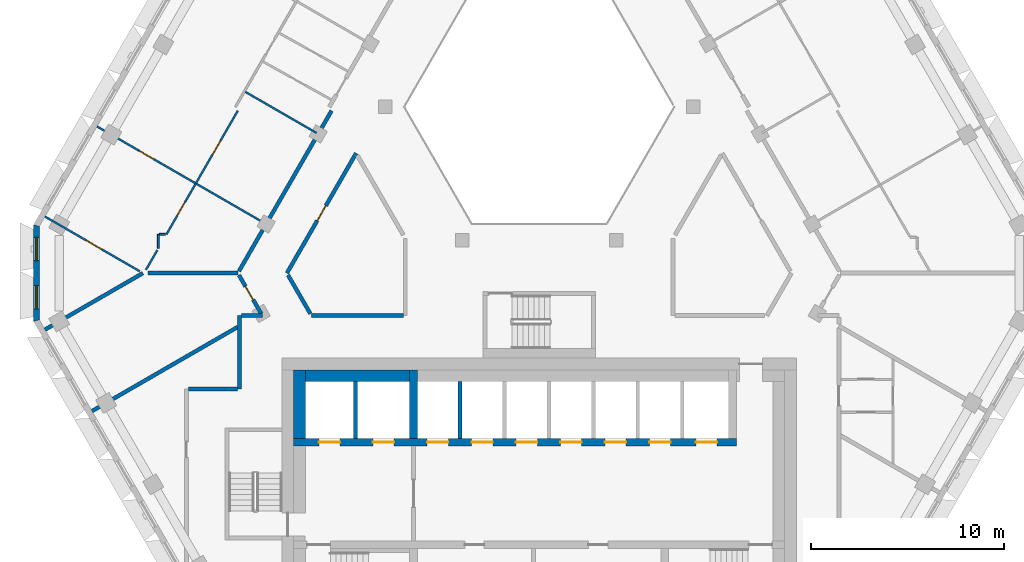
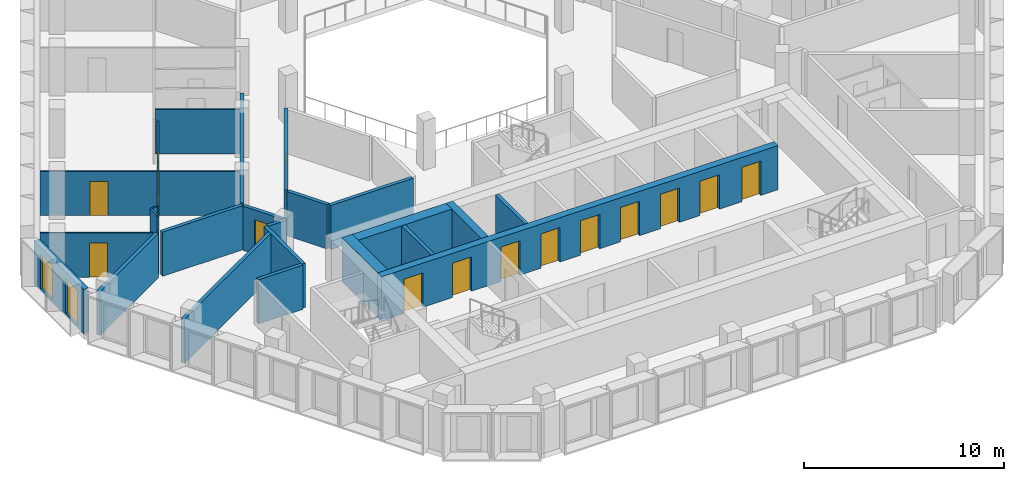
# One storey, part 4 of 17: 26 walls, 15 doors, 2 windows, 17 openings.
"""IFC4 building model written with IfcOpenShell, lengths in metres."""

from ifc_helpers import new_model, si_unit, direction, frame, frame_2d, origin, place, context, subcontext, project, spatial, polyline, rectangle, outline, extrude, material, layer, layer_set, type_object, element, fill, save


model = new_model("IFC4")

# Units and contexts
model_context = context("Model", 3, precision=1e-05, world=origin(), true_north=direction((0.0, 1.0)))
body_context = subcontext(model_context, "Body", "Model", "MODEL_VIEW")
ifc_project = project(units=[si_unit("LENGTHUNIT", "METRE"), si_unit("AREAUNIT", "SQUARE_METRE"), si_unit("VOLUMEUNIT", "CUBIC_METRE"), si_unit("PLANEANGLEUNIT", "RADIAN"), si_unit("MASSUNIT", "GRAM", prefix="KILO")], contexts=[model_context])

# Site, building, storey
site_placement = place(None, origin())
site = spatial("IfcSite", under=ifc_project, at=site_placement, CompositionType="ELEMENT")
building_placement = place(site_placement, origin())
building = spatial("IfcBuilding", under=site, at=building_placement, Name="Beryl Residences", CompositionType="ELEMENT")
storey_placement = place(building_placement, frame((0.0, 0.0, 178.199951171875)))
storey = spatial("IfcBuildingStorey", under=building, at=storey_placement, Name="L54", CompositionType="ELEMENT", Elevation=178.199951171875)

# Wall, openings, windows
ifc_material_1 = material(Name="Composite metal panel with mineral wool insulation")
ifc_layer_1 = layer(ifc_material_1, 0.300048828125)
ifc_layer_set_1 = layer_set([ifc_layer_1], Name="ES1 pale metal composite panel wall 300 mm")
wall_type_1 = type_object("IfcWallType", Name="ES1 pale metal composite panel wall 300 mm", PredefinedType="SOLIDWALL", material=ifc_layer_set_1)
wall_1_placement = place(storey_placement, frame((-26.00390625, 1.89990234375, 0.0), z_axis=(0.0, 0.0, 1.0), x_axis=(0.0, -1.0, 0.0)))
wall_1 = element("IfcWall", 1, at=wall_1_placement, inside=storey, type_object=wall_type_1, Name="ES1 external wall L54 NW-SW", PredefinedType="SOLIDWALL", context=body_context, shape_type="SweptSolid", body=[
    extrude(outline(polyline([(0.0, -0.14990234375), (5.0, -0.14990234375), (4.919677734375, 0.14990234375), (0.080322265625, 0.14990234375), (0.0, -0.14990234375)])), origin(), (0.0, 0.0, 1.0), 2.699951171875),
])
opening_1_placement = place(wall_1_placement, frame((0.64990234375, 0.0, 0.14990234375)))
opening_1 = element("IfcOpeningElement", 2, at=opening_1_placement, cuts=wall_1, Name="Opening W2", PredefinedType="OPENING", context=body_context, shape_type="SweptSolid", body=[
    extrude(rectangle(XDim=1.199951171875, YDim=2.10009765625, at=frame_2d((0.60009765625, 1.050048828125))), frame((0.0, 0.159912109375, 0.0), z_axis=(0.0, -1.0, 0.0), x_axis=(1.0, 0.0, 0.0)), (0.0, 0.0, 1.0), 0.320068359375),
])
opening_2_placement = place(wall_1_placement, frame((3.14990234375, 0.0, 0.14990234375)))
opening_2 = element("IfcOpeningElement", 3, at=opening_2_placement, cuts=wall_1, Name="Opening W2", PredefinedType="OPENING", context=body_context, shape_type="SweptSolid", body=[
    extrude(rectangle(XDim=1.199951171875, YDim=2.10009765625, at=frame_2d((0.60009765625, 1.050048828125))), frame((0.0, 0.159912109375, 0.0), z_axis=(0.0, -1.0, 0.0), x_axis=(1.0, 0.0, 0.0)), (0.0, 0.0, 1.0), 0.320068359375),
])
ifc_material_2 = material(Name="Aluminium and clear glass", Category="aluminium")
window_type = type_object("IfcWindowType", Name="W2 chamfer window 1200 x 2100 mm", PartitioningType="SINGLE_PANEL", PredefinedType="WINDOW", material=ifc_material_2)
window_1_placement = place(opening_1_placement, origin())
window_1 = element("IfcWindow", 4, at=window_1_placement, inside=storey, type_object=window_type, Name="W2 window L54 NW-SW 1", OverallHeight=2.10009765625, OverallWidth=1.199951171875, PartitioningType="SINGLE_PANEL", PredefinedType="WINDOW", context=body_context, shape_type="SweptSolid", body=[
    extrude(rectangle(XDim=1.199951171875, YDim=2.10009765625, at=frame_2d((0.60009765625, 1.050048828125))), frame((0.0, 0.030029296875, 0.0), z_axis=(0.0, -1.0, 0.0), x_axis=(1.0, 0.0, 0.0)), (0.0, 0.0, 1.0), 0.06005859375),
])
fill(opening_1, window_1)
window_2_placement = place(opening_2_placement, origin())
window_2 = element("IfcWindow", 5, at=window_2_placement, inside=storey, type_object=window_type, Name="W2 window L54 NW-SW 2", OverallHeight=2.10009765625, OverallWidth=1.199951171875, PartitioningType="SINGLE_PANEL", PredefinedType="WINDOW", context=body_context, shape_type="SweptSolid", body=[
    extrude(rectangle(XDim=1.199951171875, YDim=2.10009765625, at=frame_2d((0.60009765625, 1.050048828125))), frame((0.0, 0.030029296875, 0.0), z_axis=(0.0, -1.0, 0.0), x_axis=(1.0, 0.0, 0.0)), (0.0, 0.0, 1.0), 0.06005859375),
])
fill(opening_2, window_2)

# Wall, opening, door
ifc_material_3 = material(Name="Gypsum board partition on steel studs", Category="steel")
ifc_layer_2 = layer(ifc_material_3, 0.10009765625)
ifc_layer_set_2 = layer_set([ifc_layer_2], Name="PT1 partition 100 mm gypsum board on steel studs")
wall_type_2 = type_object("IfcWallType", Name="PT1 partition 100 mm gypsum board on steel studs", PredefinedType="PARTITIONING", material=ifc_layer_set_2)
wall_2_placement = place(storey_placement, frame((-22.8701171875, 6.987060546875, 0.0), z_axis=(0.0, 0.0, 1.0), x_axis=(0.866022959057, -0.500004234368, 0.0)))
wall_2 = element("IfcWall", 6, at=wall_2_placement, inside=storey, type_object=wall_type_2, Name="Wall PT1 L54 009", PredefinedType="PARTITIONING", context=body_context, shape_type="SweptSolid", body=[
    extrude(rectangle(XDim=10.0, YDim=0.10009765625, at=frame_2d((5.0, 0.0))), origin(), (0.0, 0.0, 1.0), 2.699951171875),
])
opening_3_placement = place(wall_2_placement, frame((2.5, 0.0, 0.0)))
opening_3 = element("IfcOpeningElement", 7, at=opening_3_placement, cuts=wall_2, Name="Opening D1412", PredefinedType="OPENING", context=body_context, shape_type="SweptSolid", body=[
    extrude(rectangle(XDim=0.89990234375, YDim=2.10009765625, at=frame_2d((0.449951171875, 1.050048828125))), frame((0.0, 0.06005859375, 0.0), z_axis=(0.0, -1.0, 0.0), x_axis=(1.0, 0.0, 0.0)), (0.0, 0.0, 1.0), 0.1201171875),
])
ifc_material_4 = material(Name="Timber door leaf", Category="wood")
door_type_1 = type_object("IfcDoorType", Name="D2 room door 900 x 2100 mm", OperationType="SINGLE_SWING_LEFT", PredefinedType="DOOR", material=ifc_material_4)
door_1_placement = place(opening_3_placement, origin())
door_1 = element("IfcDoor", 8, at=door_1_placement, inside=storey, type_object=door_type_1, Name="Door D1412 L54 001", OperationType="SINGLE_SWING_RIGHT", OverallHeight=2.10009765625, OverallWidth=0.89990234375, PredefinedType="DOOR", context=body_context, shape_type="SweptSolid", body=[
    extrude(rectangle(XDim=0.89990234375, YDim=2.10009765625, at=frame_2d((0.449951171875, 1.050048828125))), frame((0.0, 0.02490234375, 0.0), z_axis=(0.0, -1.0, 0.0), x_axis=(1.0, 0.0, 0.0)), (0.0, 0.0, 1.0), 0.050048828125),
])
fill(opening_3, door_1)

wall_3_placement = place(storey_placement, frame((-25.56201171875, 2.324951171875, 0.0), z_axis=(0.0, 0.0, 1.0), x_axis=(0.865998530728, -0.500046542611, 0.0)))
wall_3 = element("IfcWall", 9, at=wall_3_placement, inside=storey, type_object=wall_type_2, Name="Wall PT1 L54 010", PredefinedType="PARTITIONING", context=body_context, shape_type="SweptSolid", body=[
    extrude(rectangle(XDim=5.6513671875, YDim=0.10009765625, at=frame_2d((2.82568359375, 0.0))), origin(), (0.0, 0.0, 1.0), 2.699951171875),
])
opening_4_placement = place(wall_3_placement, frame((2.47607421875, 0.0, 0.0)))
opening_4 = element("IfcOpeningElement", 10, at=opening_4_placement, cuts=wall_3, Name="Opening D1415", PredefinedType="OPENING", context=body_context, shape_type="SweptSolid", body=[
    extrude(rectangle(XDim=0.89990234375, YDim=2.10009765625, at=frame_2d((0.449951171875, 1.050048828125))), frame((0.0, 0.06005859375, 0.0), z_axis=(0.0, -1.0, 0.0), x_axis=(1.0, 0.0, 0.0)), (0.0, 0.0, 1.0), 0.1201171875),
])
door_2_placement = place(opening_4_placement, origin())
door_2 = element("IfcDoor", 11, at=door_2_placement, inside=storey, type_object=door_type_1, Name="Door D1415 L54 001", OperationType="SINGLE_SWING_LEFT", OverallHeight=2.10009765625, OverallWidth=0.89990234375, PredefinedType="DOOR", context=body_context, shape_type="SweptSolid", body=[
    extrude(rectangle(XDim=0.89990234375, YDim=2.10009765625, at=frame_2d((0.449951171875, 1.050048828125))), frame((0.0, 0.02490234375, 0.0), z_axis=(0.0, -1.0, 0.0), x_axis=(1.0, 0.0, 0.0)), (0.0, 0.0, 1.0), 0.050048828125),
])
fill(opening_4, door_2)

# Walls
wall_4_placement = place(storey_placement, frame((-15.198974609375, 8.77490234375, 0.0), z_axis=(0.0, 0.0, 1.0), x_axis=(0.866043063166, -0.499969411806, 0.0)))
element("IfcWall", 12, at=wall_4_placement, inside=storey, type_object=wall_type_2, Name="Wall PT1 L54 011", PredefinedType="PARTITIONING", context=body_context, shape_type="SweptSolid", body=[
    extrude(rectangle(XDim=4.250244140625, YDim=0.10009765625, at=frame_2d((2.125, 0.0))), origin(), (0.0, 0.0, 1.0), 2.699951171875),
])
wall_5_placement = place(storey_placement, frame((-19.64990234375, 1.39990234375, 0.0), z_axis=(0.0, 0.0, 1.0), x_axis=(1.0, 0.0, 0.0)))
element("IfcWall", 13, at=wall_5_placement, inside=storey, type_object=wall_type_2, Name="Wall PT1 L54 016", PredefinedType="PARTITIONING", context=body_context, shape_type="SweptSolid", body=[
    extrude(rectangle(XDim=0.308837890625, YDim=0.10009765625, at=frame_2d((0.154296875, 0.0))), origin(), (0.0, 0.0, 1.0), 2.699951171875),
])
wall_6_placement = place(storey_placement, frame((-20.337890625, -0.427001953125, 0.0), z_axis=(0.0, 0.0, 1.0), x_axis=(0.500069990121, 0.865984991198, 0.0)))
element("IfcWall", 14, at=wall_6_placement, inside=storey, type_object=wall_type_2, Name="Wall PT1 L54 022", PredefinedType="PARTITIONING", context=body_context, shape_type="SweptSolid", body=[
    extrude(rectangle(XDim=1.175537109375, YDim=0.10009765625, at=frame_2d((0.587890625, 0.0))), origin(), (0.0, 0.0, 1.0), 2.699951171875),
])

# Wall, opening, door
wall_7_placement = place(storey_placement, frame((-19.282958984375, 1.39990234375, 0.0), z_axis=(0.0, 0.0, 1.0), x_axis=(0.499847391584, 0.866113494368, 0.0)))
wall_7 = element("IfcWall", 15, at=wall_7_placement, inside=storey, type_object=wall_type_2, Name="Wall PT1 L54 023", PredefinedType="PARTITIONING", context=body_context, shape_type="SweptSolid", body=[
    extrude(rectangle(XDim=3.044921875, YDim=0.10009765625, at=frame_2d((1.5224609375, 0.0))), origin(), (0.0, 0.0, 1.0), 2.699951171875),
])
opening_5_placement = place(wall_7_placement, frame((1.123046875, 0.0, 0.0)))
opening_5 = element("IfcOpeningElement", 16, at=opening_5_placement, cuts=wall_7, Name="Opening D1417", PredefinedType="OPENING", context=body_context, shape_type="SweptSolid", body=[
    extrude(rectangle(XDim=0.800048828125, YDim=2.10009765625, at=frame_2d((0.39990234375, 1.050048828125))), frame((0.0, 0.06005859375, 0.0), z_axis=(0.0, -1.0, 0.0), x_axis=(1.0, 0.0, 0.0)), (0.0, 0.0, 1.0), 0.1201171875),
])
ifc_material_5 = material(Name="Timber door leaf", Category="wood")
door_type_2 = type_object("IfcDoorType", Name="D3 bathroom door 800 x 2100 mm", OperationType="SINGLE_SWING_LEFT", PredefinedType="DOOR", material=ifc_material_5)
door_3_placement = place(opening_5_placement, origin())
door_3 = element("IfcDoor", 17, at=door_3_placement, inside=storey, type_object=door_type_2, Name="Door D1417 L54 001", OperationType="SINGLE_SWING_LEFT", OverallHeight=2.10009765625, OverallWidth=0.800048828125, PredefinedType="DOOR", context=body_context, shape_type="SweptSolid", body=[
    extrude(rectangle(XDim=0.800048828125, YDim=2.10009765625, at=frame_2d((0.39990234375, 1.050048828125))), frame((0.0, 0.02490234375, 0.0), z_axis=(0.0, -1.0, 0.0), x_axis=(1.0, 0.0, 0.0)), (0.0, 0.0, 1.0), 0.050048828125),
])
fill(opening_5, door_3)

# Wall
wall_8_placement = place(storey_placement, frame((-19.699951171875, 0.677978515625, 0.0), z_axis=(0.0, 0.0, 1.0), x_axis=(0.0, 1.0, 0.0)))
element("IfcWall", 18, at=wall_8_placement, inside=storey, type_object=wall_type_2, Name="Wall PT1 L54 031", PredefinedType="PARTITIONING", context=body_context, shape_type="SweptSolid", body=[
    extrude(rectangle(XDim=0.721923828125, YDim=0.10009765625, at=frame_2d((0.36083984375, 0.0))), origin(), (0.0, 0.0, 1.0), 2.699951171875),
])

# Wall, opening, door
wall_9_placement = place(storey_placement, frame((-17.760986328125, 4.037109375, 0.0), z_axis=(0.0, 0.0, 1.0), x_axis=(0.50009692756, 0.865969435399, 0.0)))
wall_9 = element("IfcWall", 19, at=wall_9_placement, inside=storey, type_object=wall_type_2, Name="Wall PT1 L54 040", PredefinedType="PARTITIONING", context=body_context, shape_type="SweptSolid", body=[
    extrude(rectangle(XDim=4.345458984375, YDim=0.10009765625, at=frame_2d((2.1728515625, 0.0))), origin(), (0.0, 0.0, 1.0), 2.699951171875),
])
opening_6_placement = place(wall_9_placement, frame((1.77197265625, 0.0, 0.0)))
opening_6 = element("IfcOpeningElement", 20, at=opening_6_placement, cuts=wall_9, Name="Opening D1414", PredefinedType="OPENING", context=body_context, shape_type="SweptSolid", body=[
    extrude(rectangle(XDim=0.800048828125, YDim=2.10009765625, at=frame_2d((0.39990234375, 1.050048828125))), frame((0.0, 0.06005859375, 0.0), z_axis=(0.0, -1.0, 0.0), x_axis=(1.0, 0.0, 0.0)), (0.0, 0.0, 1.0), 0.1201171875),
])
door_4_placement = place(opening_6_placement, origin())
door_4 = element("IfcDoor", 21, at=door_4_placement, inside=storey, type_object=door_type_2, Name="Door D1414 L54 001", OperationType="SINGLE_SWING_RIGHT", OverallHeight=2.10009765625, OverallWidth=0.800048828125, PredefinedType="DOOR", context=body_context, shape_type="SweptSolid", body=[
    extrude(rectangle(XDim=0.800048828125, YDim=2.10009765625, at=frame_2d((0.39990234375, 1.050048828125))), frame((0.0, 0.02490234375, 0.0), z_axis=(0.0, -1.0, 0.0), x_axis=(1.0, 0.0, 0.0)), (0.0, 0.0, 1.0), 0.050048828125),
])
fill(opening_6, door_4)

# Walls
ifc_material_6 = material(Name="Acoustic double stud gypsum board wall")
ifc_layer_3 = layer(ifc_material_6, 0.199951171875)
ifc_layer_set_3 = layer_set([ifc_layer_3], Name="PT3 party wall 200 mm acoustic double stud")
wall_type_3 = type_object("IfcWallType", Name="PT3 party wall 200 mm acoustic double stud", PredefinedType="PARTITIONING", material=ifc_layer_set_3)
wall_10_placement = place(storey_placement, frame((-20.238037109375, -0.60107421875, 0.0), z_axis=(0.0, 0.0, 1.0), x_axis=(1.0, 0.0, 0.0)))
element("IfcWall", 22, at=wall_10_placement, inside=storey, type_object=wall_type_3, Name="Wall PT3 L54 007", PredefinedType="PARTITIONING", context=body_context, shape_type="SweptSolid", body=[
    extrude(rectangle(XDim=4.650146484375, YDim=0.199951171875, at=frame_2d((2.3251953125, 0.0))), origin(), (0.0, 0.0, 1.0), 2.699951171875),
])
wall_11_placement = place(storey_placement, frame((-23.1298828125, -7.737060546875, 0.0), z_axis=(0.0, 0.0, 1.0), x_axis=(0.86598451299, 0.500070818246, 0.0)))
element("IfcWall", 23, at=wall_11_placement, inside=storey, type_object=wall_type_3, Name="Wall PT3 L54 013", PredefinedType="PARTITIONING", context=body_context, shape_type="SweptSolid", body=[
    extrude(rectangle(XDim=8.695068359375, YDim=0.199951171875, at=frame_2d((4.34765625, 0.0))), origin(), (0.0, 0.0, 1.0), 2.699951171875),
])
wall_12_placement = place(storey_placement, frame((-25.56298828125, -3.52392578125, 0.0), z_axis=(0.0, 0.0, 1.0), x_axis=(0.866128586522, 0.499821239653, 0.0)))
element("IfcWall", 24, at=wall_12_placement, inside=storey, type_object=wall_type_3, Name="Wall PT3 L54 014", PredefinedType="PARTITIONING", context=body_context, shape_type="SweptSolid", body=[
    extrude(rectangle(XDim=5.847900390625, YDim=0.199951171875, at=frame_2d((2.923828125, 0.0))), origin(), (0.0, 0.0, 1.0), 2.699951171875),
])
ifc_material_7 = material(Name="Double stud gypsum board wall")
ifc_layer_4 = layer(ifc_material_7, 0.199951171875)
ifc_layer_set_4 = layer_set([ifc_layer_4], Name="PT4 corridor wall 200 mm double stud")
wall_type_4 = type_object("IfcWallType", Name="PT4 corridor wall 200 mm double stud", PredefinedType="PARTITIONING", material=ifc_layer_set_4)
wall_13_placement = place(storey_placement, frame((-12.989990234375, -0.700927734375, 0.0), z_axis=(0.0, 0.0, 1.0), x_axis=(0.499972710878, -0.866041158593, 0.0)))
element("IfcWall", 25, at=wall_13_placement, inside=storey, type_object=wall_type_4, Name="Wall PT4 L54 002", PredefinedType="PARTITIONING", context=body_context, shape_type="SweptSolid", body=[
    extrude(rectangle(XDim=2.308349609375, YDim=0.199951171875, at=frame_2d((1.154296875, 0.0))), origin(), (0.0, 0.0, 1.0), 2.699951171875),
])

# Wall, opening, door
wall_14_placement = place(storey_placement, frame((-15.530029296875, -0.700927734375, 0.0), z_axis=(0.0, 0.0, 1.0), x_axis=(0.499972710878, -0.866041158593, 0.0)))
wall_14 = element("IfcWall", 26, at=wall_14_placement, inside=storey, type_object=wall_type_4, Name="Wall PT4 L54 003", PredefinedType="PARTITIONING", context=body_context, shape_type="SweptSolid", body=[
    extrude(rectangle(XDim=2.308349609375, YDim=0.199951171875, at=frame_2d((1.154296875, 0.0))), origin(), (0.0, 0.0, 1.0), 2.699951171875),
])
opening_7_placement = place(wall_14_placement, frame((0.674072265625, 0.0, 0.0)))
opening_7 = element("IfcOpeningElement", 27, at=opening_7_placement, cuts=wall_14, Name="Opening D1418", PredefinedType="OPENING", context=body_context, shape_type="SweptSolid", body=[
    extrude(rectangle(XDim=0.800048828125, YDim=2.10009765625, at=frame_2d((0.39990234375, 1.050048828125))), frame((0.0, 0.10986328125, 0.0), z_axis=(0.0, -1.0, 0.0), x_axis=(1.0, 0.0, 0.0)), (0.0, 0.0, 1.0), 0.219970703125),
])
door_5_placement = place(opening_7_placement, origin())
door_5 = element("IfcDoor", 28, at=door_5_placement, inside=storey, type_object=door_type_2, Name="Door D1418 L54 001", OperationType="SINGLE_SWING_RIGHT", OverallHeight=2.10009765625, OverallWidth=0.800048828125, PredefinedType="DOOR", context=body_context, shape_type="SweptSolid", body=[
    extrude(rectangle(XDim=0.800048828125, YDim=2.10009765625, at=frame_2d((0.39990234375, 1.050048828125))), frame((0.0, 0.02490234375, 0.0), z_axis=(0.0, -1.0, 0.0), x_axis=(1.0, 0.0, 0.0)), (0.0, 0.0, 1.0), 0.050048828125),
])
fill(opening_7, door_5)

# Walls
wall_15_placement = place(storey_placement, frame((-18.14892578125, -6.60009765625, 0.0), z_axis=(0.0, 0.0, 1.0), x_axis=(1.0, 0.0, 0.0)))
element("IfcWall", 29, at=wall_15_placement, inside=storey, type_object=wall_type_4, Name="Wall PT4 L54 008", PredefinedType="PARTITIONING", context=body_context, shape_type="SweptSolid", body=[
    extrude(rectangle(XDim=2.548828125, YDim=0.199951171875, at=frame_2d((1.2744140625, 0.0))), origin(), (0.0, 0.0, 1.0), 2.699951171875),
])
wall_16_placement = place(storey_placement, frame((-15.39892578125, -2.800048828125, 0.0), z_axis=(0.0, 0.0, 1.0), x_axis=(1.0, 0.0, 0.0)))
element("IfcWall", 30, at=wall_16_placement, inside=storey, type_object=wall_type_4, Name="Wall PT4 L54 010", PredefinedType="PARTITIONING", context=body_context, shape_type="SweptSolid", body=[
    extrude(rectangle(XDim=1.080810546875, YDim=0.199951171875, at=frame_2d((0.54052734375, 0.0))), origin(), (0.0, 0.0, 1.0), 2.699951171875),
])
wall_17_placement = place(storey_placement, frame((-11.778076171875, -2.800048828125, 0.0), z_axis=(0.0, 0.0, 1.0), x_axis=(1.0, 0.0, 0.0)))
element("IfcWall", 31, at=wall_17_placement, inside=storey, type_object=wall_type_4, Name="Wall PT4 L54 011", PredefinedType="PARTITIONING", context=body_context, shape_type="SweptSolid", body=[
    extrude(rectangle(XDim=4.75, YDim=0.199951171875, at=frame_2d((2.375, 0.0))), origin(), (0.0, 0.0, 1.0), 2.699951171875),
])

# Wall, opening, door
wall_18_placement = place(storey_placement, frame((-13.048095703125, -0.60107421875, 0.0), z_axis=(0.0, 0.0, 1.0), x_axis=(0.499982180423, 0.866035691677, 0.0)))
wall_18 = element("IfcWall", 32, at=wall_18_placement, inside=storey, type_object=wall_type_4, Name="Wall PT4 L54 019", PredefinedType="PARTITIONING", context=body_context, shape_type="SweptSolid", body=[
    extrude(rectangle(XDim=7.160400390625, YDim=0.199951171875, at=frame_2d((3.580078125, 0.0))), origin(), (0.0, 0.0, 1.0), 2.699951171875),
])
opening_8_placement = place(wall_18_placement, frame((3.1298828125, 0.0, 0.0)))
opening_8 = element("IfcOpeningElement", 33, at=opening_8_placement, cuts=wall_18, Name="Opening D1438", PredefinedType="OPENING", context=body_context, shape_type="SweptSolid", body=[
    extrude(rectangle(XDim=0.89990234375, YDim=2.10009765625, at=frame_2d((0.449951171875, 1.050048828125))), frame((0.0, 0.10986328125, 0.0), z_axis=(0.0, -1.0, 0.0), x_axis=(1.0, 0.0, 0.0)), (0.0, 0.0, 1.0), 0.219970703125),
])
door_6_placement = place(opening_8_placement, origin())
door_6 = element("IfcDoor", 34, at=door_6_placement, inside=storey, type_object=door_type_1, Name="Door D1438 L54 001", OperationType="SINGLE_SWING_RIGHT", OverallHeight=2.10009765625, OverallWidth=0.89990234375, PredefinedType="DOOR", context=body_context, shape_type="SweptSolid", body=[
    extrude(rectangle(XDim=0.89990234375, YDim=2.10009765625, at=frame_2d((0.449951171875, 1.050048828125))), frame((0.0, 0.02490234375, 0.0), z_axis=(0.0, -1.0, 0.0), x_axis=(1.0, 0.0, 0.0)), (0.0, 0.0, 1.0), 0.050048828125),
])
fill(opening_8, door_6)

# Walls
wall_19_placement = place(storey_placement, frame((-15.530029296875, -0.5009765625, 0.0), z_axis=(0.0, 0.0, 1.0), x_axis=(0.499952498232, 0.866052827206, 0.0)))
element("IfcWall", 35, at=wall_19_placement, inside=storey, type_object=wall_type_4, Name="Wall PT4 L54 020", PredefinedType="PARTITIONING", context=body_context, shape_type="SweptSolid", body=[
    extrude(rectangle(XDim=9.5849609375, YDim=0.199951171875, at=frame_2d((4.79248046875, 0.0))), origin(), (0.0, 0.0, 1.0), 2.699951171875),
])
wall_20_placement = place(storey_placement, frame((-15.5, -6.60009765625, 0.0), z_axis=(0.0, 0.0, 1.0), x_axis=(0.0, 1.0, 0.0)))
element("IfcWall", 36, at=wall_20_placement, inside=storey, type_object=wall_type_4, Name="Wall PT4 L54 025", PredefinedType="PARTITIONING", context=body_context, shape_type="SweptSolid", body=[
    extrude(rectangle(XDim=3.799072265625, YDim=0.199951171875, at=frame_2d((1.8994140625, 0.0))), origin(), (0.0, 0.0, 1.0), 2.699951171875),
])
ifc_material_8 = material(Name="Concrete C40/50", Category="concrete")
ifc_layer_5 = layer(ifc_material_8, 0.199951171875)
ifc_layer_set_5 = layer_set([ifc_layer_5], Name="PT6 lift shaft wall 200 mm reinforced concrete C40/50")
wall_type_5 = type_object("IfcWallType", Name="PT6 lift shaft wall 200 mm reinforced concrete C40/50", PredefinedType="SOLIDWALL", material=ifc_layer_set_5)
for number, where, z_axis, x_axis, name in (
    (37, (-9.5, -9.14990234375, 0.0), (0.0, 0.0, 1.0), (0.0, 1.0, 0.0), "Lift shaft wall 11"),
    (38, (-4.10009765625, -9.14990234375, 0.0), (0.0, 0.0, 1.0), (0.0, 1.0, 0.0), "Lift shaft wall 15"),
):
    element("IfcWall", number, at=place(storey_placement, frame(where, z_axis=z_axis, x_axis=x_axis)), inside=storey, type_object=wall_type_5, Name=name, PredefinedType="SOLIDWALL", context=body_context, shape_type="SweptSolid", body=[
        extrude(rectangle(XDim=2.949951171875, YDim=0.199951171875, at=frame_2d((1.47509765625, 0.0))), origin(), (0.0, 0.0, 1.0), 2.699951171875),
    ])
ifc_material_9 = material(Name="Concrete C40/50", Category="concrete")
ifc_layer_6 = layer(ifc_material_9, 0.60009765625)
ifc_layer_set_6 = layer_set([ifc_layer_6], Name="PT6-600 lift shaft wall 600 mm")
wall_type_6 = type_object("IfcWallType", Name="PT6-600 lift shaft wall 600 mm", PredefinedType="SOLIDWALL", material=ifc_layer_set_6)
wall_21_placement = place(storey_placement, frame((-12.39990234375, -9.14990234375, 0.0), z_axis=(0.0, 0.0, 1.0), x_axis=(0.0, 1.0, 0.0)))
element("IfcWall", 39, at=wall_21_placement, inside=storey, type_object=wall_type_6, Name="Lift shaft wall 07", PredefinedType="SOLIDWALL", context=body_context, shape_type="SweptSolid", body=[
    extrude(rectangle(XDim=3.5498046875, YDim=0.60009765625, at=frame_2d((1.77490234375, 0.0))), origin(), (0.0, 0.0, 1.0), 2.699951171875),
])
wall_22_placement = place(storey_placement, frame((-12.10009765625, -5.89990234375, 0.0), z_axis=(0.0, 0.0, 1.0), x_axis=(1.0, 0.0, 0.0)))
element("IfcWall", 40, at=wall_22_placement, inside=storey, type_object=wall_type_6, Name="Lift shaft wall 09", PredefinedType="SOLIDWALL", context=body_context, shape_type="SweptSolid", body=[
    extrude(rectangle(XDim=5.400146484375, YDim=0.60009765625, at=frame_2d((2.7001953125, 0.0))), origin(), (0.0, 0.0, 1.0), 2.699951171875),
])

# Wall, openings, doors
ifc_material_10 = material(Name="Concrete C50/60", Category="concrete")
ifc_layer_7 = layer(ifc_material_10, 0.39990234375)
ifc_layer_set_7 = layer_set([ifc_layer_7], Name="SW9 core internal wall 400 mm C50/60")
wall_type_7 = type_object("IfcWallType", Name="SW9 core internal wall 400 mm C50/60", PredefinedType="SHEAR", material=ifc_layer_set_7)
wall_23_placement = place(storey_placement, frame((-12.699951171875, -9.35009765625, 0.0), z_axis=(0.0, 0.0, 1.0), x_axis=(1.0, 0.0, 0.0)))
wall_23 = element("IfcWall", 41, at=wall_23_placement, inside=storey, type_object=wall_type_7, Name="Core wall SP2 L54", PredefinedType="SHEAR", context=body_context, shape_type="SweptSolid", body=[
    extrude(rectangle(XDim=22.89990234375, YDim=0.39990234375, at=frame_2d((11.449951171875, 0.0))), origin(), (0.0, 0.0, 1.0), 2.699951171875),
])
opening_9_placement = place(wall_23_placement, frame((1.300048828125, 0.0, 0.0)))
opening_9 = element("IfcOpeningElement", 42, at=opening_9_placement, cuts=wall_23, Name="Opening LD-FF1", PredefinedType="OPENING", context=body_context, shape_type="SweptSolid", body=[
    extrude(rectangle(XDim=1.10009765625, YDim=2.10009765625, at=frame_2d((0.550048828125, 1.050048828125))), frame((0.0, 0.2099609375, 0.0), z_axis=(0.0, -1.0, 0.0), x_axis=(1.0, 0.0, 0.0)), (0.0, 0.0, 1.0), 0.419921875),
])
opening_10_placement = place(wall_23_placement, frame((4.10009765625, 0.0, 0.0)))
opening_10 = element("IfcOpeningElement", 43, at=opening_10_placement, cuts=wall_23, Name="Opening LD-FF2", PredefinedType="OPENING", context=body_context, shape_type="SweptSolid", body=[
    extrude(rectangle(XDim=1.10009765625, YDim=2.10009765625, at=frame_2d((0.550048828125, 1.050048828125))), frame((0.0, 0.2099609375, 0.0), z_axis=(0.0, -1.0, 0.0), x_axis=(1.0, 0.0, 0.0)), (0.0, 0.0, 1.0), 0.419921875),
])
opening_11_placement = place(wall_23_placement, frame((6.89990234375, 0.0, 0.0)))
opening_11 = element("IfcOpeningElement", 44, at=opening_11_placement, cuts=wall_23, Name="Opening LD-HR1", PredefinedType="OPENING", context=body_context, shape_type="SweptSolid", body=[
    extrude(rectangle(XDim=1.10009765625, YDim=2.10009765625, at=frame_2d((0.550048828125, 1.050048828125))), frame((0.0, 0.2099609375, 0.0), z_axis=(0.0, -1.0, 0.0), x_axis=(1.0, 0.0, 0.0)), (0.0, 0.0, 1.0), 0.419921875),
])
opening_12_placement = place(wall_23_placement, frame((9.199951171875, 0.0, 0.0)))
opening_12 = element("IfcOpeningElement", 45, at=opening_12_placement, cuts=wall_23, Name="Opening LD-HR2", PredefinedType="OPENING", context=body_context, shape_type="SweptSolid", body=[
    extrude(rectangle(XDim=1.10009765625, YDim=2.10009765625, at=frame_2d((0.550048828125, 1.050048828125))), frame((0.0, 0.2099609375, 0.0), z_axis=(0.0, -1.0, 0.0), x_axis=(1.0, 0.0, 0.0)), (0.0, 0.0, 1.0), 0.419921875),
])
opening_13_placement = place(wall_23_placement, frame((11.5, 0.0, 0.0)))
opening_13 = element("IfcOpeningElement", 46, at=opening_13_placement, cuts=wall_23, Name="Opening LD-HR3", PredefinedType="OPENING", context=body_context, shape_type="SweptSolid", body=[
    extrude(rectangle(XDim=1.10009765625, YDim=2.10009765625, at=frame_2d((0.550048828125, 1.050048828125))), frame((0.0, 0.2099609375, 0.0), z_axis=(0.0, -1.0, 0.0), x_axis=(1.0, 0.0, 0.0)), (0.0, 0.0, 1.0), 0.419921875),
])
opening_14_placement = place(wall_23_placement, frame((13.800048828125, 0.0, 0.0)))
opening_14 = element("IfcOpeningElement", 47, at=opening_14_placement, cuts=wall_23, Name="Opening LD-HR4", PredefinedType="OPENING", context=body_context, shape_type="SweptSolid", body=[
    extrude(rectangle(XDim=1.10009765625, YDim=2.10009765625, at=frame_2d((0.550048828125, 1.050048828125))), frame((0.0, 0.2099609375, 0.0), z_axis=(0.0, -1.0, 0.0), x_axis=(1.0, 0.0, 0.0)), (0.0, 0.0, 1.0), 0.419921875),
])
opening_15_placement = place(wall_23_placement, frame((16.10009765625, 0.0, 0.0)))
opening_15 = element("IfcOpeningElement", 48, at=opening_15_placement, cuts=wall_23, Name="Opening LD-HR5", PredefinedType="OPENING", context=body_context, shape_type="SweptSolid", body=[
    extrude(rectangle(XDim=1.10009765625, YDim=2.10009765625, at=frame_2d((0.550048828125, 1.050048828125))), frame((0.0, 0.2099609375, 0.0), z_axis=(0.0, -1.0, 0.0), x_axis=(1.0, 0.0, 0.0)), (0.0, 0.0, 1.0), 0.419921875),
])
opening_16_placement = place(wall_23_placement, frame((18.39990234375, 0.0, 0.0)))
opening_16 = element("IfcOpeningElement", 49, at=opening_16_placement, cuts=wall_23, Name="Opening LD-HR6", PredefinedType="OPENING", context=body_context, shape_type="SweptSolid", body=[
    extrude(rectangle(XDim=1.10009765625, YDim=2.10009765625, at=frame_2d((0.550048828125, 1.050048828125))), frame((0.0, 0.2099609375, 0.0), z_axis=(0.0, -1.0, 0.0), x_axis=(1.0, 0.0, 0.0)), (0.0, 0.0, 1.0), 0.419921875),
])
opening_17_placement = place(wall_23_placement, frame((20.800048828125, 0.0, 0.0)))
opening_17 = element("IfcOpeningElement", 50, at=opening_17_placement, cuts=wall_23, Name="Opening LD-SL1", PredefinedType="OPENING", context=body_context, shape_type="SweptSolid", body=[
    extrude(rectangle(XDim=1.10009765625, YDim=2.10009765625, at=frame_2d((0.550048828125, 1.050048828125))), frame((0.0, 0.2099609375, 0.0), z_axis=(0.0, -1.0, 0.0), x_axis=(1.0, 0.0, 0.0)), (0.0, 0.0, 1.0), 0.419921875),
])
ifc_material_11 = material(Name="Stainless steel sliding door", Category="steel")
door_type_3 = type_object("IfcDoorType", Name="LD1 lift landing door 1100 x 2100 mm", OperationType="DOUBLE_DOOR_SLIDING", PredefinedType="DOOR", material=ifc_material_11)
door_7_placement = place(opening_9_placement, origin())
door_7 = element("IfcDoor", 51, at=door_7_placement, inside=storey, type_object=door_type_3, Name="Lift landing door FF1", OperationType="DOUBLE_DOOR_SLIDING", OverallHeight=2.10009765625, OverallWidth=1.10009765625, PredefinedType="DOOR", context=body_context, shape_type="SweptSolid", body=[
    extrude(rectangle(XDim=1.10009765625, YDim=2.10009765625, at=frame_2d((0.550048828125, 1.050048828125))), frame((0.0, 0.02490234375, 0.0), z_axis=(0.0, -1.0, 0.0), x_axis=(1.0, 0.0, 0.0)), (0.0, 0.0, 1.0), 0.050048828125),
])
fill(opening_9, door_7)
door_8_placement = place(opening_10_placement, origin())
door_8 = element("IfcDoor", 52, at=door_8_placement, inside=storey, type_object=door_type_3, Name="Lift landing door FF2", OperationType="DOUBLE_DOOR_SLIDING", OverallHeight=2.10009765625, OverallWidth=1.10009765625, PredefinedType="DOOR", context=body_context, shape_type="SweptSolid", body=[
    extrude(rectangle(XDim=1.10009765625, YDim=2.10009765625, at=frame_2d((0.550048828125, 1.050048828125))), frame((0.0, 0.02490234375, 0.0), z_axis=(0.0, -1.0, 0.0), x_axis=(1.0, 0.0, 0.0)), (0.0, 0.0, 1.0), 0.050048828125),
])
fill(opening_10, door_8)
door_9_placement = place(opening_11_placement, origin())
door_9 = element("IfcDoor", 53, at=door_9_placement, inside=storey, type_object=door_type_3, Name="Lift landing door HR1", OperationType="DOUBLE_DOOR_SLIDING", OverallHeight=2.10009765625, OverallWidth=1.10009765625, PredefinedType="DOOR", context=body_context, shape_type="SweptSolid", body=[
    extrude(rectangle(XDim=1.10009765625, YDim=2.10009765625, at=frame_2d((0.550048828125, 1.050048828125))), frame((0.0, 0.02490234375, 0.0), z_axis=(0.0, -1.0, 0.0), x_axis=(1.0, 0.0, 0.0)), (0.0, 0.0, 1.0), 0.050048828125),
])
fill(opening_11, door_9)
door_10_placement = place(opening_12_placement, origin())
door_10 = element("IfcDoor", 54, at=door_10_placement, inside=storey, type_object=door_type_3, Name="Lift landing door HR2", OperationType="DOUBLE_DOOR_SLIDING", OverallHeight=2.10009765625, OverallWidth=1.10009765625, PredefinedType="DOOR", context=body_context, shape_type="SweptSolid", body=[
    extrude(rectangle(XDim=1.10009765625, YDim=2.10009765625, at=frame_2d((0.550048828125, 1.050048828125))), frame((0.0, 0.02490234375, 0.0), z_axis=(0.0, -1.0, 0.0), x_axis=(1.0, 0.0, 0.0)), (0.0, 0.0, 1.0), 0.050048828125),
])
fill(opening_12, door_10)
door_11_placement = place(opening_13_placement, origin())
door_11 = element("IfcDoor", 55, at=door_11_placement, inside=storey, type_object=door_type_3, Name="Lift landing door HR3", OperationType="DOUBLE_DOOR_SLIDING", OverallHeight=2.10009765625, OverallWidth=1.10009765625, PredefinedType="DOOR", context=body_context, shape_type="SweptSolid", body=[
    extrude(rectangle(XDim=1.10009765625, YDim=2.10009765625, at=frame_2d((0.550048828125, 1.050048828125))), frame((0.0, 0.02490234375, 0.0), z_axis=(0.0, -1.0, 0.0), x_axis=(1.0, 0.0, 0.0)), (0.0, 0.0, 1.0), 0.050048828125),
])
fill(opening_13, door_11)
door_12_placement = place(opening_14_placement, origin())
door_12 = element("IfcDoor", 56, at=door_12_placement, inside=storey, type_object=door_type_3, Name="Lift landing door HR4", OperationType="DOUBLE_DOOR_SLIDING", OverallHeight=2.10009765625, OverallWidth=1.10009765625, PredefinedType="DOOR", context=body_context, shape_type="SweptSolid", body=[
    extrude(rectangle(XDim=1.10009765625, YDim=2.10009765625, at=frame_2d((0.550048828125, 1.050048828125))), frame((0.0, 0.02490234375, 0.0), z_axis=(0.0, -1.0, 0.0), x_axis=(1.0, 0.0, 0.0)), (0.0, 0.0, 1.0), 0.050048828125),
])
fill(opening_14, door_12)
door_13_placement = place(opening_15_placement, origin())
door_13 = element("IfcDoor", 57, at=door_13_placement, inside=storey, type_object=door_type_3, Name="Lift landing door HR5", OperationType="DOUBLE_DOOR_SLIDING", OverallHeight=2.10009765625, OverallWidth=1.10009765625, PredefinedType="DOOR", context=body_context, shape_type="SweptSolid", body=[
    extrude(rectangle(XDim=1.10009765625, YDim=2.10009765625, at=frame_2d((0.550048828125, 1.050048828125))), frame((0.0, 0.02490234375, 0.0), z_axis=(0.0, -1.0, 0.0), x_axis=(1.0, 0.0, 0.0)), (0.0, 0.0, 1.0), 0.050048828125),
])
fill(opening_15, door_13)
door_14_placement = place(opening_16_placement, origin())
door_14 = element("IfcDoor", 58, at=door_14_placement, inside=storey, type_object=door_type_3, Name="Lift landing door HR6", OperationType="DOUBLE_DOOR_SLIDING", OverallHeight=2.10009765625, OverallWidth=1.10009765625, PredefinedType="DOOR", context=body_context, shape_type="SweptSolid", body=[
    extrude(rectangle(XDim=1.10009765625, YDim=2.10009765625, at=frame_2d((0.550048828125, 1.050048828125))), frame((0.0, 0.02490234375, 0.0), z_axis=(0.0, -1.0, 0.0), x_axis=(1.0, 0.0, 0.0)), (0.0, 0.0, 1.0), 0.050048828125),
])
fill(opening_16, door_14)
door_15_placement = place(opening_17_placement, origin())
door_15 = element("IfcDoor", 59, at=door_15_placement, inside=storey, type_object=door_type_3, Name="Lift landing door SL1", OperationType="DOUBLE_DOOR_SLIDING", OverallHeight=2.10009765625, OverallWidth=1.10009765625, PredefinedType="DOOR", context=body_context, shape_type="SweptSolid", body=[
    extrude(rectangle(XDim=1.10009765625, YDim=2.10009765625, at=frame_2d((0.550048828125, 1.050048828125))), frame((0.0, 0.02490234375, 0.0), z_axis=(0.0, -1.0, 0.0), x_axis=(1.0, 0.0, 0.0)), (0.0, 0.0, 1.0), 0.050048828125),
])
fill(opening_17, door_15)

# Wall
wall_24_placement = place(storey_placement, frame((-6.5, -9.14990234375, 0.0), z_axis=(0.0, 0.0, 1.0), x_axis=(0.0, 1.0, 0.0)))
element("IfcWall", 60, at=wall_24_placement, inside=storey, type_object=wall_type_7, Name="Core wall XN1 L54", PredefinedType="SHEAR", context=body_context, shape_type="SweptSolid", body=[
    extrude(rectangle(XDim=3.5498046875, YDim=0.39990234375, at=frame_2d((1.77490234375, 0.0))), origin(), (0.0, 0.0, 1.0), 2.699951171875),
])

save(model, "model.ifc")
